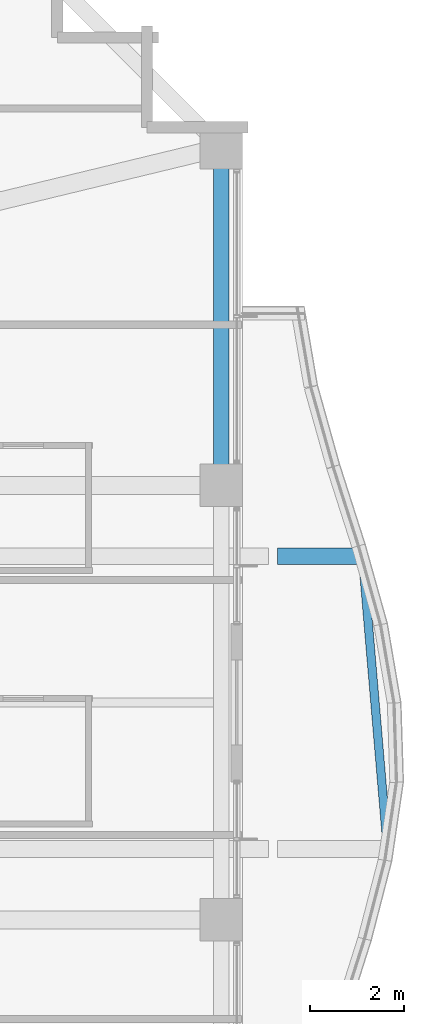
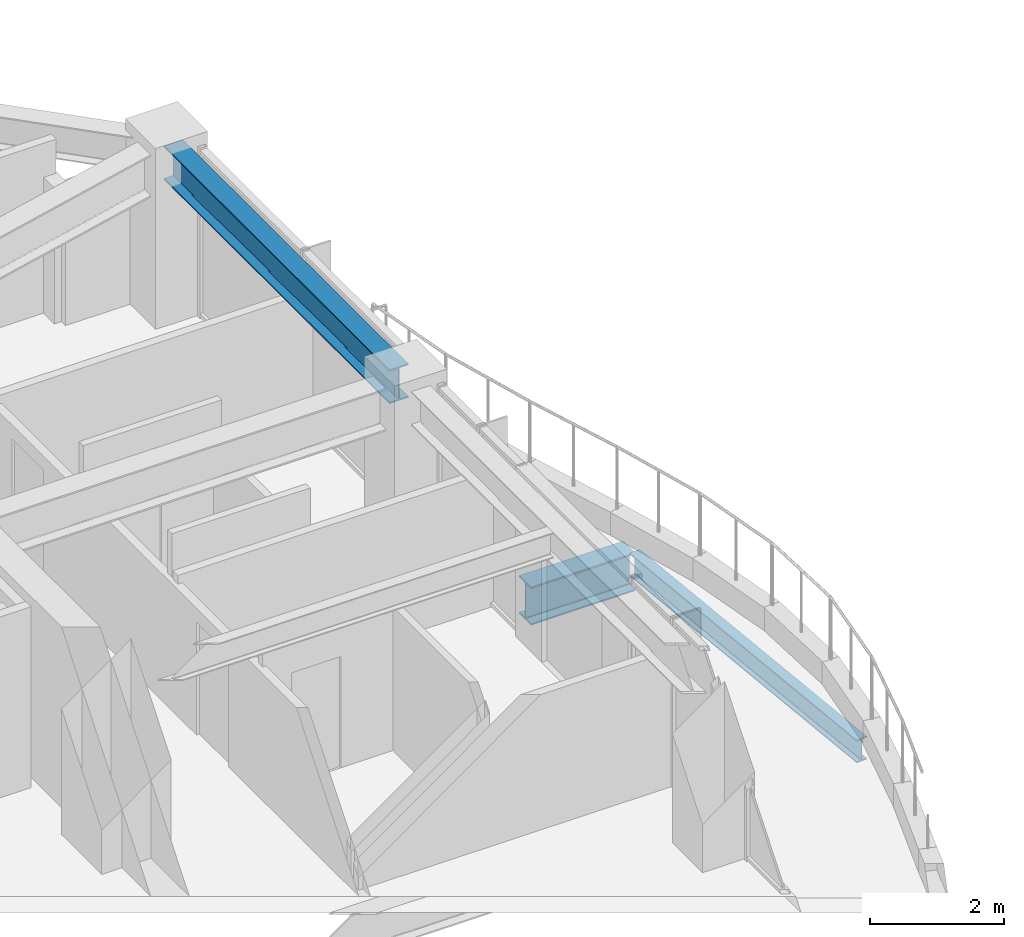
# One storey, part 16 of 33: 3 beams.
"""IFC4 building model written with IfcOpenShell, lengths in metres."""

from ifc_helpers import new_model, si_unit, direction, frame, origin, origin_2d, place, context, subcontext, project, spatial, i_section, extrude, material, material_profile, profile_set, type_object, element, save


model = new_model("IFC4")

# Units and contexts
model_context = context("Model", 3, precision=1e-05, world=origin(), true_north=direction((0.0, 1.0)))
body_context = subcontext(model_context, "Body", "Model", "MODEL_VIEW")
ifc_project = project(units=[si_unit("LENGTHUNIT", "METRE"), si_unit("AREAUNIT", "SQUARE_METRE"), si_unit("VOLUMEUNIT", "CUBIC_METRE"), si_unit("PLANEANGLEUNIT", "RADIAN"), si_unit("MASSUNIT", "GRAM", prefix="KILO")], contexts=[model_context])

# Site, building, storey
site_placement = place(None, origin())
site = spatial("IfcSite", under=ifc_project, at=site_placement, CompositionType="ELEMENT")
building_placement = place(site_placement, origin())
building = spatial("IfcBuilding", under=site, at=building_placement, Name="Kolvaren Belvedere", CompositionType="ELEMENT")
storey_placement = place(building_placement, frame((0.0, 0.0, 128.300048828125)))
storey = spatial("IfcBuildingStorey", under=building, at=storey_placement, Name="L37", CompositionType="ELEMENT", Elevation=128.300048828125)

# Beams
ifc_material_1 = material(Name="Structural steel ASTM A992 Grade 50", Category="steel")
ifc_material_profile_1 = material_profile(ifc_material_1, i_section(OverallWidth=0.35498046875, OverallDepth=0.696044921875, WebThickness=0.015380859375, FlangeThickness=0.02490234375, FilletRadius=0.02197265625, at=origin_2d()), Name="W27X146")
ifc_profile_set_1 = profile_set([ifc_material_profile_1], Name="Structural steel ASTM A992 Grade 50")
beam_type_1 = type_object("IfcBeamType", Name="BM-CANT-BAL", PredefinedType="BEAM", material=ifc_profile_set_1)
beam_1_placement = place(storey_placement, frame((18.7451171875, 3.10009765625, -0.548095703125), z_axis=(1.0, 0.0, 0.0), x_axis=(0.0, 1.0, 0.0)))
element("IfcBeam", 1, at=beam_1_placement, inside=storey, type_object=beam_type_1, Name="L37 Planted Balcony Cantilever BAL-E-2", PredefinedType="BEAM", context=body_context, shape_type="SweptSolid", body=[
    extrude(i_section(OverallWidth=0.35498046875, OverallDepth=0.696044921875, WebThickness=0.015380859375, FlangeThickness=0.02490234375, FilletRadius=0.02197265625, at=origin_2d()), origin(), (0.0, 0.0, 1.0), 1.79638671875),
])
ifc_material_2 = material(Name="Structural steel ASTM A992 Grade 50", Category="steel")
ifc_material_profile_2 = material_profile(ifc_material_2, i_section(OverallWidth=0.180908203125, OverallDepth=0.4169921875, WebThickness=0.010986328125, FlangeThickness=0.018310546875, FilletRadius=0.013916015625, at=origin_2d()), Name="W16X57")
ifc_profile_set_2 = profile_set([ifc_material_profile_2], Name="Structural steel ASTM A992 Grade 50")
beam_type_2 = type_object("IfcBeamType", Name="BM-EDGE-W16X57", PredefinedType="BEAM", material=ifc_profile_set_2)
beam_2_placement = place(storey_placement, frame((21.05859375, -2.96044921875, -0.408447265625), z_axis=(-0.08504456119, 0.996377148781, 0.0), x_axis=(-0.996377148781, -0.08504456119, 0.0)))
element("IfcBeam", 2, at=beam_2_placement, inside=storey, type_object=beam_type_2, Name="L37 Balcony Tip Header Beam BAL-E", PredefinedType="BEAM", context=body_context, shape_type="SweptSolid", body=[
    extrude(i_section(OverallWidth=0.180908203125, OverallDepth=0.4169921875, WebThickness=0.010986328125, FlangeThickness=0.018310546875, FilletRadius=0.013916015625, at=origin_2d()), origin(), (0.0, 0.0, 1.0), 5.9423828125),
])
ifc_material_3 = material(Name="Structural steel ASTM A992 Grade 50", Category="steel")
ifc_material_profile_3 = material_profile(ifc_material_3, i_section(OverallWidth=0.324951171875, OverallDepth=0.615966796875, WebThickness=0.013916015625, FlangeThickness=0.021484375, FilletRadius=0.02001953125, at=origin_2d()), Name="W24X117")
ifc_profile_set_3 = profile_set([ifc_material_profile_3], Name="Structural steel ASTM A992 Grade 50")
beam_type_3 = type_object("IfcBeamType", Name="BM-SPAN-W24X117", PredefinedType="SPANDREL", material=ifc_profile_set_3)
beam_3_placement = place(storey_placement, frame((17.550048828125, 4.802490234375, 2.7919921875), z_axis=(0.0, 1.0, 0.0), x_axis=(-1.0, 0.0, 0.0)))
element("IfcBeam", 3, at=beam_3_placement, inside=storey, type_object=beam_type_3, Name="L37 Perimeter Spandrel E3-E4", PredefinedType="SPANDREL", context=body_context, shape_type="SweptSolid", body=[
    extrude(i_section(OverallWidth=0.324951171875, OverallDepth=0.615966796875, WebThickness=0.013916015625, FlangeThickness=0.021484375, FilletRadius=0.02001953125, at=origin_2d()), origin(), (0.0, 0.0, 1.0), 6.7451171875),
])

save(model, "model.ifc")
